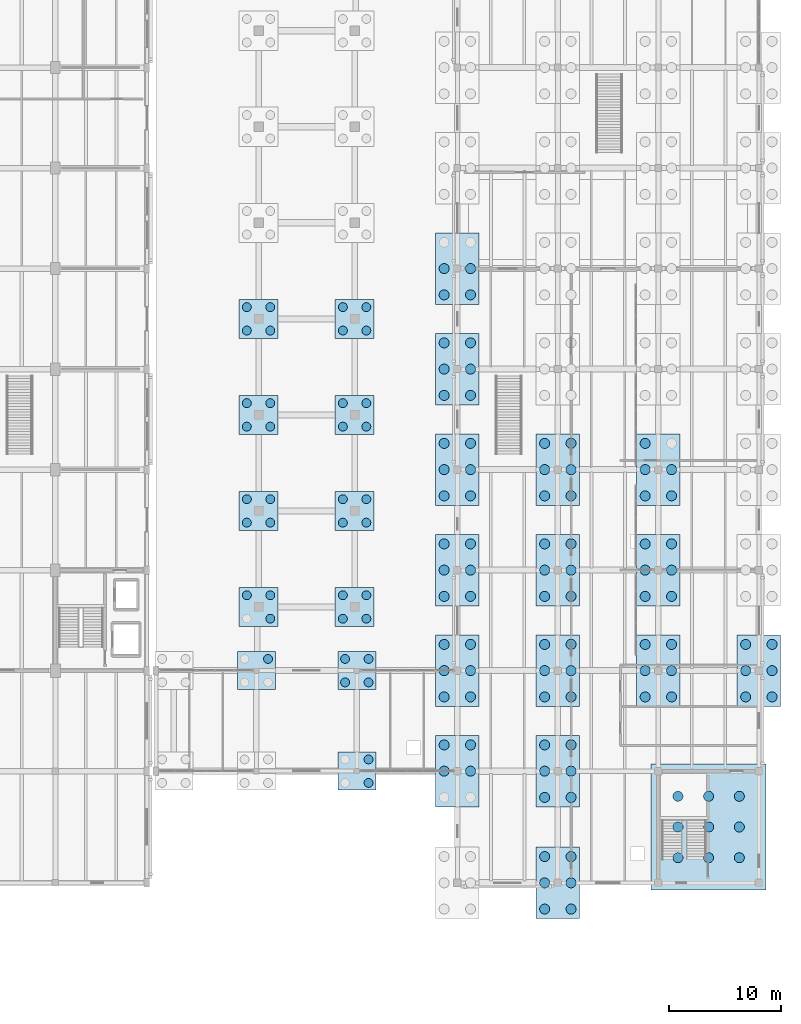
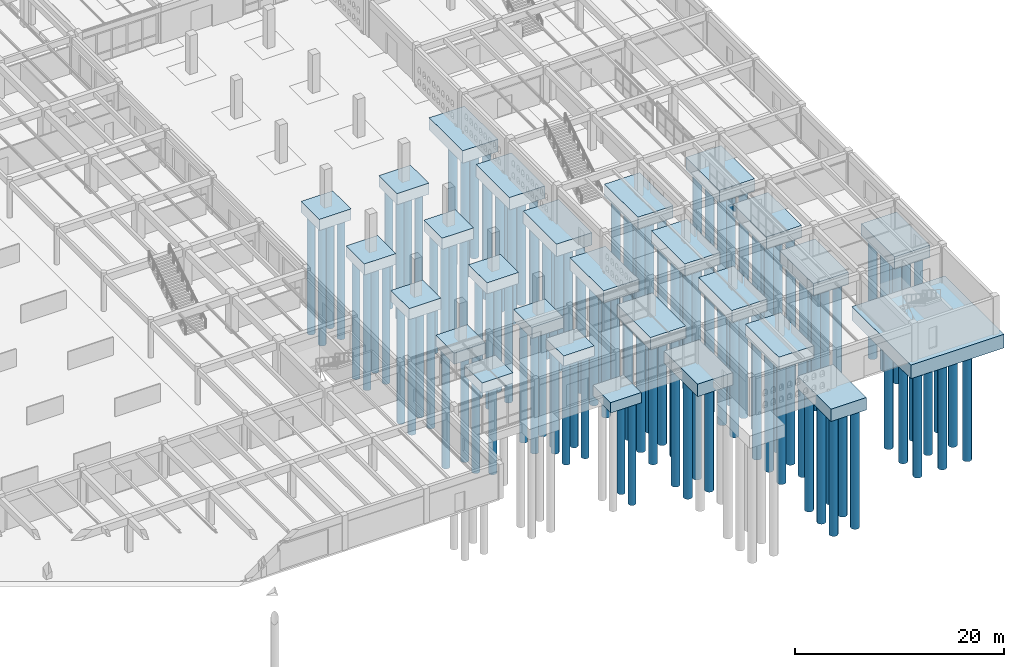
# One storey, part 4 of 186: 132 piles, 27 footings.
"""IFC4 building model written with IfcOpenShell, lengths in metres."""

from ifc_helpers import new_model, si_unit, direction, frame, origin, origin_2d, place, context, subcontext, project, spatial, polyline, circle, outline, extrude, material, layer, layer_set, material_profile, profile_set, type_object, element, save


model = new_model("IFC4")

# Units and contexts
model_context = context("Model", 3, precision=1e-05, world=origin(), true_north=direction((0.0, 1.0)))
body_context = subcontext(model_context, "Body", "Model", "MODEL_VIEW")
ifc_project = project(units=[si_unit("LENGTHUNIT", "METRE"), si_unit("AREAUNIT", "SQUARE_METRE"), si_unit("VOLUMEUNIT", "CUBIC_METRE"), si_unit("PLANEANGLEUNIT", "RADIAN"), si_unit("MASSUNIT", "GRAM", prefix="KILO")], contexts=[model_context])

# Site, building, storey
site_placement = place(None, origin())
site = spatial("IfcSite", under=ifc_project, at=site_placement, CompositionType="ELEMENT")
building_placement = place(site_placement, origin())
building = spatial("IfcBuilding", under=site, at=building_placement, Name="Ornek Quay Market", CompositionType="ELEMENT")
storey_placement = place(building_placement, origin())
storey = spatial("IfcBuildingStorey", under=building, at=storey_placement, Name="L00", CompositionType="ELEMENT", Elevation=0.0)

# Footings
ifc_material = material(Name="Concrete C35/45", Category="concrete")
ifc_layer_1 = layer(ifc_material, 1.60009765625, Name="Concrete C35/45", Category="concrete")
ifc_layer_set_1 = layer_set([ifc_layer_1], Name="Concrete C35/45")
footing_type_1 = type_object("IfcFootingType", Name="FT-CORE-10300x11300x1600", PredefinedType="PILE_CAP", material=ifc_layer_set_1)
footing_1_placement = place(storey_placement, frame((0.0, 0.0, -1.60009765625)))
element("IfcFooting", 1, at=footing_1_placement, inside=storey, type_object=footing_type_1, Name="Pile cap FC-006", PredefinedType="PILE_CAP", context=body_context, shape_type="SweptSolid", body=[
    extrude(outline(polyline([(170.35009765625, 9.35009765625), (180.64990234375, 9.35009765625), (180.64990234375, 20.64990234375), (170.35009765625, 20.64990234375), (170.35009765625, 9.35009765625)])), origin(), (0.0, 0.0, 1.0), 1.60009765625),
])
ifc_layer_2 = layer(ifc_material, 1.199951171875, Name="Concrete C35/45", Category="concrete")
ifc_layer_set_2 = layer_set([ifc_layer_2], Name="Concrete C35/45")
footing_type_2 = type_object("IfcFootingType", Name="FT-PC4-2800x2800x1200", PredefinedType="PILE_CAP", material=ifc_layer_set_2)
footing_2_placement = place(storey_placement, frame((0.0, 0.0, -1.199951171875)))
element("IfcFooting", 2, at=footing_2_placement, inside=storey, type_object=footing_type_2, Name="Pile cap FC-181", PredefinedType="PILE_CAP", context=body_context, shape_type="SweptSolid", body=[
    extrude(outline(polyline([(133.300048828125, 27.300048828125), (136.699951171875, 27.300048828125), (136.699951171875, 30.699951171875), (133.300048828125, 30.699951171875), (133.300048828125, 27.300048828125)])), origin(), (0.0, 0.0, 1.0), 1.199951171875),
])
footing_3_placement = place(storey_placement, frame((0.0, 0.0, -1.199951171875)))
element("IfcFooting", 3, at=footing_3_placement, inside=storey, type_object=footing_type_2, Name="Pile cap FC-186", PredefinedType="PILE_CAP", context=body_context, shape_type="SweptSolid", body=[
    extrude(outline(polyline([(142.300048828125, 18.300048828125), (145.699951171875, 18.300048828125), (145.699951171875, 21.699951171875), (142.300048828125, 21.699951171875), (142.300048828125, 18.300048828125)])), origin(), (0.0, 0.0, 1.0), 1.199951171875),
])
footing_4_placement = place(storey_placement, frame((0.0, 0.0, -1.199951171875)))
element("IfcFooting", 4, at=footing_4_placement, inside=storey, type_object=footing_type_2, Name="Pile cap FC-187", PredefinedType="PILE_CAP", context=body_context, shape_type="SweptSolid", body=[
    extrude(outline(polyline([(142.300048828125, 27.300048828125), (145.699951171875, 27.300048828125), (145.699951171875, 30.699951171875), (142.300048828125, 30.699951171875), (142.300048828125, 27.300048828125)])), origin(), (0.0, 0.0, 1.0), 1.199951171875),
])
ifc_layer_3 = layer(ifc_material, 1.300048828125, Name="Concrete C35/45", Category="concrete")
ifc_layer_set_3 = layer_set([ifc_layer_3], Name="Concrete C35/45")
footing_type_3 = type_object("IfcFootingType", Name="FT-PC4-3000x3000x1300", PredefinedType="PILE_CAP", material=ifc_layer_set_3)
footing_5_placement = place(storey_placement, frame((0.0, 0.0, -1.300048828125)))
element("IfcFooting", 5, at=footing_5_placement, inside=storey, type_object=footing_type_3, Name="Pile cap FC-250", PredefinedType="PILE_CAP", context=body_context, shape_type="SweptSolid", body=[
    extrude(outline(polyline([(133.449951171875, 32.949951171875), (136.949951171875, 32.949951171875), (136.949951171875, 36.449951171875), (133.449951171875, 36.449951171875), (133.449951171875, 32.949951171875)])), origin(), (0.0, 0.0, 1.0), 1.300048828125),
])
footing_6_placement = place(storey_placement, frame((0.0, 0.0, -1.300048828125)))
element("IfcFooting", 6, at=footing_6_placement, inside=storey, type_object=footing_type_3, Name="Pile cap FC-251", PredefinedType="PILE_CAP", context=body_context, shape_type="SweptSolid", body=[
    extrude(outline(polyline([(133.449951171875, 41.550048828125), (136.949951171875, 41.550048828125), (136.949951171875, 45.050048828125), (133.449951171875, 45.050048828125), (133.449951171875, 41.550048828125)])), origin(), (0.0, 0.0, 1.0), 1.300048828125),
])
footing_7_placement = place(storey_placement, frame((0.0, 0.0, -1.300048828125)))
element("IfcFooting", 7, at=footing_7_placement, inside=storey, type_object=footing_type_3, Name="Pile cap FC-252", PredefinedType="PILE_CAP", context=body_context, shape_type="SweptSolid", body=[
    extrude(outline(polyline([(133.449951171875, 50.14990234375), (136.949951171875, 50.14990234375), (136.949951171875, 53.64990234375), (133.449951171875, 53.64990234375), (133.449951171875, 50.14990234375)])), origin(), (0.0, 0.0, 1.0), 1.300048828125),
])
footing_8_placement = place(storey_placement, frame((0.0, 0.0, -1.300048828125)))
element("IfcFooting", 8, at=footing_8_placement, inside=storey, type_object=footing_type_3, Name="Pile cap FC-253", PredefinedType="PILE_CAP", context=body_context, shape_type="SweptSolid", body=[
    extrude(outline(polyline([(133.449951171875, 58.75), (136.949951171875, 58.75), (136.949951171875, 62.25), (133.449951171875, 62.25), (133.449951171875, 58.75)])), origin(), (0.0, 0.0, 1.0), 1.300048828125),
])
footing_9_placement = place(storey_placement, frame((0.0, 0.0, -1.300048828125)))
element("IfcFooting", 9, at=footing_9_placement, inside=storey, type_object=footing_type_3, Name="Pile cap FC-257", PredefinedType="PILE_CAP", context=body_context, shape_type="SweptSolid", body=[
    extrude(outline(polyline([(142.050048828125, 32.949951171875), (145.550048828125, 32.949951171875), (145.550048828125, 36.449951171875), (142.050048828125, 36.449951171875), (142.050048828125, 32.949951171875)])), origin(), (0.0, 0.0, 1.0), 1.300048828125),
])
footing_10_placement = place(storey_placement, frame((0.0, 0.0, -1.300048828125)))
element("IfcFooting", 10, at=footing_10_placement, inside=storey, type_object=footing_type_3, Name="Pile cap FC-258", PredefinedType="PILE_CAP", context=body_context, shape_type="SweptSolid", body=[
    extrude(outline(polyline([(142.050048828125, 41.550048828125), (145.550048828125, 41.550048828125), (145.550048828125, 45.050048828125), (142.050048828125, 45.050048828125), (142.050048828125, 41.550048828125)])), origin(), (0.0, 0.0, 1.0), 1.300048828125),
])
footing_11_placement = place(storey_placement, frame((0.0, 0.0, -1.300048828125)))
element("IfcFooting", 11, at=footing_11_placement, inside=storey, type_object=footing_type_3, Name="Pile cap FC-259", PredefinedType="PILE_CAP", context=body_context, shape_type="SweptSolid", body=[
    extrude(outline(polyline([(142.050048828125, 50.14990234375), (145.550048828125, 50.14990234375), (145.550048828125, 53.64990234375), (142.050048828125, 53.64990234375), (142.050048828125, 50.14990234375)])), origin(), (0.0, 0.0, 1.0), 1.300048828125),
])
footing_12_placement = place(storey_placement, frame((0.0, 0.0, -1.300048828125)))
element("IfcFooting", 12, at=footing_12_placement, inside=storey, type_object=footing_type_3, Name="Pile cap FC-260", PredefinedType="PILE_CAP", context=body_context, shape_type="SweptSolid", body=[
    extrude(outline(polyline([(142.050048828125, 58.75), (145.550048828125, 58.75), (145.550048828125, 62.25), (142.050048828125, 62.25), (142.050048828125, 58.75)])), origin(), (0.0, 0.0, 1.0), 1.300048828125),
])
ifc_layer_4 = layer(ifc_material, 1.449951171875, Name="Concrete C35/45", Category="concrete")
ifc_layer_set_4 = layer_set([ifc_layer_4], Name="Concrete C35/45")
footing_type_4 = type_object("IfcFootingType", Name="FT-PC6-3200x4600x1450", PredefinedType="PILE_CAP", material=ifc_layer_set_4)
footing_13_placement = place(storey_placement, frame((0.0, 0.0, -1.449951171875)))
element("IfcFooting", 13, at=footing_13_placement, inside=storey, type_object=footing_type_4, Name="Pile cap FC-193", PredefinedType="PILE_CAP", context=body_context, shape_type="SweptSolid", body=[
    extrude(outline(polyline([(151.050048828125, 16.800048828125), (154.949951171875, 16.800048828125), (154.949951171875, 23.199951171875), (151.050048828125, 23.199951171875), (151.050048828125, 16.800048828125)])), origin(), (0.0, 0.0, 1.0), 1.449951171875),
])
footing_14_placement = place(storey_placement, frame((0.0, 0.0, -1.449951171875)))
element("IfcFooting", 14, at=footing_14_placement, inside=storey, type_object=footing_type_4, Name="Pile cap FC-194", PredefinedType="PILE_CAP", context=body_context, shape_type="SweptSolid", body=[
    extrude(outline(polyline([(151.050048828125, 25.800048828125), (154.949951171875, 25.800048828125), (154.949951171875, 32.199951171875), (151.050048828125, 32.199951171875), (151.050048828125, 25.800048828125)])), origin(), (0.0, 0.0, 1.0), 1.449951171875),
])
footing_15_placement = place(storey_placement, frame((0.0, 0.0, -1.449951171875)))
element("IfcFooting", 15, at=footing_15_placement, inside=storey, type_object=footing_type_4, Name="Pile cap FC-195", PredefinedType="PILE_CAP", context=body_context, shape_type="SweptSolid", body=[
    extrude(outline(polyline([(151.050048828125, 34.800048828125), (154.949951171875, 34.800048828125), (154.949951171875, 41.199951171875), (151.050048828125, 41.199951171875), (151.050048828125, 34.800048828125)])), origin(), (0.0, 0.0, 1.0), 1.449951171875),
])
footing_16_placement = place(storey_placement, frame((0.0, 0.0, -1.449951171875)))
element("IfcFooting", 16, at=footing_16_placement, inside=storey, type_object=footing_type_4, Name="Pile cap FC-196", PredefinedType="PILE_CAP", context=body_context, shape_type="SweptSolid", body=[
    extrude(outline(polyline([(151.050048828125, 43.800048828125), (154.949951171875, 43.800048828125), (154.949951171875, 50.199951171875), (151.050048828125, 50.199951171875), (151.050048828125, 43.800048828125)])), origin(), (0.0, 0.0, 1.0), 1.449951171875),
])
footing_17_placement = place(storey_placement, frame((0.0, 0.0, -1.449951171875)))
element("IfcFooting", 17, at=footing_17_placement, inside=storey, type_object=footing_type_4, Name="Pile cap FC-197", PredefinedType="PILE_CAP", context=body_context, shape_type="SweptSolid", body=[
    extrude(outline(polyline([(151.050048828125, 52.800048828125), (154.949951171875, 52.800048828125), (154.949951171875, 59.199951171875), (151.050048828125, 59.199951171875), (151.050048828125, 52.800048828125)])), origin(), (0.0, 0.0, 1.0), 1.449951171875),
])
footing_18_placement = place(storey_placement, frame((0.0, 0.0, -1.449951171875)))
element("IfcFooting", 18, at=footing_18_placement, inside=storey, type_object=footing_type_4, Name="Pile cap FC-198", PredefinedType="PILE_CAP", context=body_context, shape_type="SweptSolid", body=[
    extrude(outline(polyline([(151.050048828125, 61.800048828125), (154.949951171875, 61.800048828125), (154.949951171875, 68.199951171875), (151.050048828125, 68.199951171875), (151.050048828125, 61.800048828125)])), origin(), (0.0, 0.0, 1.0), 1.449951171875),
])
footing_19_placement = place(storey_placement, frame((0.0, 0.0, -1.449951171875)))
element("IfcFooting", 19, at=footing_19_placement, inside=storey, type_object=footing_type_4, Name="Pile cap FC-205", PredefinedType="PILE_CAP", context=body_context, shape_type="SweptSolid", body=[
    extrude(outline(polyline([(160.050048828125, 6.800048828125), (163.949951171875, 6.800048828125), (163.949951171875, 13.199951171875), (160.050048828125, 13.199951171875), (160.050048828125, 6.800048828125)])), origin(), (0.0, 0.0, 1.0), 1.449951171875),
])
footing_20_placement = place(storey_placement, frame((0.0, 0.0, -1.449951171875)))
element("IfcFooting", 20, at=footing_20_placement, inside=storey, type_object=footing_type_4, Name="Pile cap FC-206", PredefinedType="PILE_CAP", context=body_context, shape_type="SweptSolid", body=[
    extrude(outline(polyline([(160.050048828125, 16.800048828125), (163.949951171875, 16.800048828125), (163.949951171875, 23.199951171875), (160.050048828125, 23.199951171875), (160.050048828125, 16.800048828125)])), origin(), (0.0, 0.0, 1.0), 1.449951171875),
])
footing_21_placement = place(storey_placement, frame((0.0, 0.0, -1.449951171875)))
element("IfcFooting", 21, at=footing_21_placement, inside=storey, type_object=footing_type_4, Name="Pile cap FC-207", PredefinedType="PILE_CAP", context=body_context, shape_type="SweptSolid", body=[
    extrude(outline(polyline([(160.050048828125, 25.800048828125), (163.949951171875, 25.800048828125), (163.949951171875, 32.199951171875), (160.050048828125, 32.199951171875), (160.050048828125, 25.800048828125)])), origin(), (0.0, 0.0, 1.0), 1.449951171875),
])
footing_22_placement = place(storey_placement, frame((0.0, 0.0, -1.449951171875)))
element("IfcFooting", 22, at=footing_22_placement, inside=storey, type_object=footing_type_4, Name="Pile cap FC-208", PredefinedType="PILE_CAP", context=body_context, shape_type="SweptSolid", body=[
    extrude(outline(polyline([(160.050048828125, 34.800048828125), (163.949951171875, 34.800048828125), (163.949951171875, 41.199951171875), (160.050048828125, 41.199951171875), (160.050048828125, 34.800048828125)])), origin(), (0.0, 0.0, 1.0), 1.449951171875),
])
footing_23_placement = place(storey_placement, frame((0.0, 0.0, -1.449951171875)))
element("IfcFooting", 23, at=footing_23_placement, inside=storey, type_object=footing_type_4, Name="Pile cap FC-209", PredefinedType="PILE_CAP", context=body_context, shape_type="SweptSolid", body=[
    extrude(outline(polyline([(160.050048828125, 43.800048828125), (163.949951171875, 43.800048828125), (163.949951171875, 50.199951171875), (160.050048828125, 50.199951171875), (160.050048828125, 43.800048828125)])), origin(), (0.0, 0.0, 1.0), 1.449951171875),
])
footing_24_placement = place(storey_placement, frame((0.0, 0.0, -1.449951171875)))
element("IfcFooting", 24, at=footing_24_placement, inside=storey, type_object=footing_type_4, Name="Pile cap FC-218", PredefinedType="PILE_CAP", context=body_context, shape_type="SweptSolid", body=[
    extrude(outline(polyline([(169.050048828125, 25.800048828125), (172.949951171875, 25.800048828125), (172.949951171875, 32.199951171875), (169.050048828125, 32.199951171875), (169.050048828125, 25.800048828125)])), origin(), (0.0, 0.0, 1.0), 1.449951171875),
])
footing_25_placement = place(storey_placement, frame((0.0, 0.0, -1.449951171875)))
element("IfcFooting", 25, at=footing_25_placement, inside=storey, type_object=footing_type_4, Name="Pile cap FC-219", PredefinedType="PILE_CAP", context=body_context, shape_type="SweptSolid", body=[
    extrude(outline(polyline([(169.050048828125, 34.800048828125), (172.949951171875, 34.800048828125), (172.949951171875, 41.199951171875), (169.050048828125, 41.199951171875), (169.050048828125, 34.800048828125)])), origin(), (0.0, 0.0, 1.0), 1.449951171875),
])
footing_26_placement = place(storey_placement, frame((0.0, 0.0, -1.449951171875)))
element("IfcFooting", 26, at=footing_26_placement, inside=storey, type_object=footing_type_4, Name="Pile cap FC-220", PredefinedType="PILE_CAP", context=body_context, shape_type="SweptSolid", body=[
    extrude(outline(polyline([(169.050048828125, 43.800048828125), (172.949951171875, 43.800048828125), (172.949951171875, 50.199951171875), (169.050048828125, 50.199951171875), (169.050048828125, 43.800048828125)])), origin(), (0.0, 0.0, 1.0), 1.449951171875),
])
footing_27_placement = place(storey_placement, frame((0.0, 0.0, -1.449951171875)))
element("IfcFooting", 27, at=footing_27_placement, inside=storey, type_object=footing_type_4, Name="Pile cap FC-227", PredefinedType="PILE_CAP", context=body_context, shape_type="SweptSolid", body=[
    extrude(outline(polyline([(178.050048828125, 25.800048828125), (181.949951171875, 25.800048828125), (181.949951171875, 32.199951171875), (178.050048828125, 32.199951171875), (178.050048828125, 25.800048828125)])), origin(), (0.0, 0.0, 1.0), 1.449951171875),
])

# Piles
ifc_material_profile_1 = material_profile(ifc_material, circle(Radius=0.39990234375, at=origin_2d()), Name="PILE D800", Category="concrete")
ifc_profile_set_1 = profile_set([ifc_material_profile_1], Name="Concrete C35/45")
pile_type_1 = type_object("IfcPileType", Name="PL-BOR-D800-L12", PredefinedType="BORED", material=ifc_profile_set_1)
for number, where, z_axis, x_axis, name in (
    (28, (136.050048828125, 30.050048828125, -1.10009765625), (0.0, 0.0, -1.0), (1.0, 0.0, 0.0), "Bored pile P-0794"),
    (29, (145.050048828125, 18.949951171875, -1.10009765625), (0.0, 0.0, -1.0), (1.0, 0.0, 0.0), "Bored pile P-0812"),
    (30, (145.050048828125, 21.050048828125, -1.10009765625), (0.0, 0.0, -1.0), (1.0, 0.0, 0.0), "Bored pile P-0814"),
    (31, (142.949951171875, 27.949951171875, -1.10009765625), (0.0, 0.0, -1.0), (1.0, 0.0, 0.0), "Bored pile P-0815"),
    (32, (145.050048828125, 27.949951171875, -1.10009765625), (0.0, 0.0, -1.0), (1.0, 0.0, 0.0), "Bored pile P-0816"),
    (33, (142.949951171875, 30.050048828125, -1.10009765625), (0.0, 0.0, -1.0), (1.0, 0.0, 0.0), "Bored pile P-0817"),
    (34, (145.050048828125, 30.050048828125, -1.10009765625), (0.0, 0.0, -1.0), (1.0, 0.0, 0.0), "Bored pile P-0818"),
):
    element("IfcPile", number, at=place(storey_placement, frame(where, z_axis=z_axis, x_axis=x_axis)), inside=storey, type_object=pile_type_1, Name=name, PredefinedType="BORED", context=body_context, shape_type="SweptSolid", body=[
        extrude(circle(Radius=0.39990234375, at=origin_2d()), origin(), (0.0, 0.0, 1.0), 12.0),
    ])
ifc_material_profile_2 = material_profile(ifc_material, circle(Radius=0.39990234375, at=origin_2d()), Name="PILE D800", Category="concrete")
ifc_profile_set_2 = profile_set([ifc_material_profile_2], Name="Concrete C35/45")
pile_type_2 = type_object("IfcPileType", Name="PL-BOR-D800-L14", PredefinedType="BORED", material=ifc_profile_set_2)
for number, where, z_axis, x_axis, name in (
    (35, (136.25, 33.64990234375, -1.199951171875), (0.0, 0.0, -1.0), (1.0, 0.0, 0.0), "Bored pile P-1132"),
    (36, (134.14990234375, 35.75, -1.199951171875), (0.0, 0.0, -1.0), (1.0, 0.0, 0.0), "Bored pile P-1133"),
    (37, (136.25, 35.75, -1.199951171875), (0.0, 0.0, -1.0), (1.0, 0.0, 0.0), "Bored pile P-1134"),
    (38, (134.14990234375, 42.25, -1.199951171875), (0.0, 0.0, -1.0), (1.0, 0.0, 0.0), "Bored pile P-1135"),
    (39, (136.25, 42.25, -1.199951171875), (0.0, 0.0, -1.0), (1.0, 0.0, 0.0), "Bored pile P-1136"),
    (40, (134.14990234375, 44.35009765625, -1.199951171875), (0.0, 0.0, -1.0), (1.0, 0.0, 0.0), "Bored pile P-1137"),
    (41, (136.25, 44.35009765625, -1.199951171875), (0.0, 0.0, -1.0), (1.0, 0.0, 0.0), "Bored pile P-1138"),
    (42, (134.14990234375, 50.85009765625, -1.199951171875), (0.0, 0.0, -1.0), (1.0, 0.0, 0.0), "Bored pile P-1139"),
    (43, (136.25, 50.85009765625, -1.199951171875), (0.0, 0.0, -1.0), (1.0, 0.0, 0.0), "Bored pile P-1140"),
    (44, (134.14990234375, 52.949951171875, -1.199951171875), (0.0, 0.0, -1.0), (1.0, 0.0, 0.0), "Bored pile P-1141"),
    (45, (136.25, 52.949951171875, -1.199951171875), (0.0, 0.0, -1.0), (1.0, 0.0, 0.0), "Bored pile P-1142"),
    (46, (134.14990234375, 59.449951171875, -1.199951171875), (0.0, 0.0, -1.0), (1.0, 0.0, 0.0), "Bored pile P-1143"),
    (47, (136.25, 59.449951171875, -1.199951171875), (0.0, 0.0, -1.0), (1.0, 0.0, 0.0), "Bored pile P-1144"),
    (48, (134.14990234375, 61.550048828125, -1.199951171875), (0.0, 0.0, -1.0), (1.0, 0.0, 0.0), "Bored pile P-1145"),
    (49, (136.25, 61.550048828125, -1.199951171875), (0.0, 0.0, -1.0), (1.0, 0.0, 0.0), "Bored pile P-1146"),
    (50, (142.75, 33.64990234375, -1.199951171875), (0.0, 0.0, -1.0), (1.0, 0.0, 0.0), "Bored pile P-1159"),
    (51, (144.85009765625, 33.64990234375, -1.199951171875), (0.0, 0.0, -1.0), (1.0, 0.0, 0.0), "Bored pile P-1160"),
    (52, (142.75, 35.75, -1.199951171875), (0.0, 0.0, -1.0), (1.0, 0.0, 0.0), "Bored pile P-1161"),
    (53, (144.85009765625, 35.75, -1.199951171875), (0.0, 0.0, -1.0), (1.0, 0.0, 0.0), "Bored pile P-1162"),
    (54, (142.75, 42.25, -1.199951171875), (0.0, 0.0, -1.0), (1.0, 0.0, 0.0), "Bored pile P-1163"),
    (55, (144.85009765625, 42.25, -1.199951171875), (0.0, 0.0, -1.0), (1.0, 0.0, 0.0), "Bored pile P-1164"),
    (56, (142.75, 44.35009765625, -1.199951171875), (0.0, 0.0, -1.0), (1.0, 0.0, 0.0), "Bored pile P-1165"),
    (57, (144.85009765625, 44.35009765625, -1.199951171875), (0.0, 0.0, -1.0), (1.0, 0.0, 0.0), "Bored pile P-1166"),
    (58, (142.75, 50.85009765625, -1.199951171875), (0.0, 0.0, -1.0), (1.0, 0.0, 0.0), "Bored pile P-1167"),
    (59, (144.85009765625, 50.85009765625, -1.199951171875), (0.0, 0.0, -1.0), (1.0, 0.0, 0.0), "Bored pile P-1168"),
    (60, (142.75, 52.949951171875, -1.199951171875), (0.0, 0.0, -1.0), (1.0, 0.0, 0.0), "Bored pile P-1169"),
    (61, (144.85009765625, 52.949951171875, -1.199951171875), (0.0, 0.0, -1.0), (1.0, 0.0, 0.0), "Bored pile P-1170"),
    (62, (142.75, 59.449951171875, -1.199951171875), (0.0, 0.0, -1.0), (1.0, 0.0, 0.0), "Bored pile P-1171"),
    (63, (144.85009765625, 59.449951171875, -1.199951171875), (0.0, 0.0, -1.0), (1.0, 0.0, 0.0), "Bored pile P-1172"),
    (64, (142.75, 61.550048828125, -1.199951171875), (0.0, 0.0, -1.0), (1.0, 0.0, 0.0), "Bored pile P-1173"),
    (65, (144.85009765625, 61.550048828125, -1.199951171875), (0.0, 0.0, -1.0), (1.0, 0.0, 0.0), "Bored pile P-1174"),
):
    element("IfcPile", number, at=place(storey_placement, frame(where, z_axis=z_axis, x_axis=x_axis)), inside=storey, type_object=pile_type_2, Name=name, PredefinedType="BORED", context=body_context, shape_type="SweptSolid", body=[
        extrude(circle(Radius=0.39990234375, at=origin_2d()), origin(), (0.0, 0.0, 1.0), 14.0),
    ])
ifc_material_profile_3 = material_profile(ifc_material, circle(Radius=0.449951171875, at=origin_2d()), Name="PILE D900", Category="concrete")
ifc_profile_set_3 = profile_set([ifc_material_profile_3], Name="Concrete C35/45")
pile_type_3 = type_object("IfcPileType", Name="PL-BOR-D900-L14", PredefinedType="BORED", material=ifc_profile_set_3)
for number, where, z_axis, x_axis, name in (
    (66, (172.75, 12.25, -1.5), (0.0, 0.0, -1.0), (1.0, 0.0, 0.0), "Bored pile P-0046"),
    (67, (172.75, 15.0, -1.5), (0.0, 0.0, -1.0), (1.0, 0.0, 0.0), "Bored pile P-0047"),
    (68, (172.75, 17.75, -1.5), (0.0, 0.0, -1.0), (1.0, 0.0, 0.0), "Bored pile P-0048"),
    (69, (175.5, 12.25, -1.5), (0.0, 0.0, -1.0), (1.0, 0.0, 0.0), "Bored pile P-0049"),
    (70, (175.5, 15.0, -1.5), (0.0, 0.0, -1.0), (1.0, 0.0, 0.0), "Bored pile P-0050"),
    (71, (175.5, 17.75, -1.5), (0.0, 0.0, -1.0), (1.0, 0.0, 0.0), "Bored pile P-0051"),
    (72, (178.25, 12.25, -1.5), (0.0, 0.0, -1.0), (1.0, 0.0, 0.0), "Bored pile P-0052"),
    (73, (178.25, 15.0, -1.5), (0.0, 0.0, -1.0), (1.0, 0.0, 0.0), "Bored pile P-0053"),
    (74, (178.25, 17.75, -1.5), (0.0, 0.0, -1.0), (1.0, 0.0, 0.0), "Bored pile P-0054"),
    (75, (151.820068359375, 20.0, -1.35009765625), (0.0, 0.0, -1.0), (1.0, 0.0, 0.0), "Bored pile P-0843"),
    (76, (154.179931640625, 20.0, -1.35009765625), (0.0, 0.0, -1.0), (1.0, 0.0, 0.0), "Bored pile P-0844"),
    (77, (151.820068359375, 22.35009765625, -1.35009765625), (0.0, 0.0, -1.0), (1.0, 0.0, 0.0), "Bored pile P-0845"),
    (78, (154.179931640625, 22.35009765625, -1.35009765625), (0.0, 0.0, -1.0), (1.0, 0.0, 0.0), "Bored pile P-0846"),
    (79, (151.820068359375, 26.64990234375, -1.35009765625), (0.0, 0.0, -1.0), (1.0, 0.0, 0.0), "Bored pile P-0847"),
    (80, (154.179931640625, 26.64990234375, -1.35009765625), (0.0, 0.0, -1.0), (1.0, 0.0, 0.0), "Bored pile P-0848"),
    (81, (151.820068359375, 29.0, -1.35009765625), (0.0, 0.0, -1.0), (1.0, 0.0, 0.0), "Bored pile P-0849"),
    (82, (154.179931640625, 29.0, -1.35009765625), (0.0, 0.0, -1.0), (1.0, 0.0, 0.0), "Bored pile P-0850"),
    (83, (151.820068359375, 31.35009765625, -1.35009765625), (0.0, 0.0, -1.0), (1.0, 0.0, 0.0), "Bored pile P-0851"),
    (84, (154.179931640625, 31.35009765625, -1.35009765625), (0.0, 0.0, -1.0), (1.0, 0.0, 0.0), "Bored pile P-0852"),
    (85, (151.820068359375, 35.64990234375, -1.35009765625), (0.0, 0.0, -1.0), (1.0, 0.0, 0.0), "Bored pile P-0853"),
    (86, (154.179931640625, 35.64990234375, -1.35009765625), (0.0, 0.0, -1.0), (1.0, 0.0, 0.0), "Bored pile P-0854"),
    (87, (151.820068359375, 38.0, -1.35009765625), (0.0, 0.0, -1.0), (1.0, 0.0, 0.0), "Bored pile P-0855"),
    (88, (154.179931640625, 38.0, -1.35009765625), (0.0, 0.0, -1.0), (1.0, 0.0, 0.0), "Bored pile P-0856"),
    (89, (151.820068359375, 40.35009765625, -1.35009765625), (0.0, 0.0, -1.0), (1.0, 0.0, 0.0), "Bored pile P-0857"),
    (90, (154.179931640625, 40.35009765625, -1.35009765625), (0.0, 0.0, -1.0), (1.0, 0.0, 0.0), "Bored pile P-0858"),
    (91, (151.820068359375, 44.64990234375, -1.35009765625), (0.0, 0.0, -1.0), (1.0, 0.0, 0.0), "Bored pile P-0859"),
    (92, (154.179931640625, 44.64990234375, -1.35009765625), (0.0, 0.0, -1.0), (1.0, 0.0, 0.0), "Bored pile P-0860"),
    (93, (151.820068359375, 47.0, -1.35009765625), (0.0, 0.0, -1.0), (1.0, 0.0, 0.0), "Bored pile P-0861"),
    (94, (154.179931640625, 47.0, -1.35009765625), (0.0, 0.0, -1.0), (1.0, 0.0, 0.0), "Bored pile P-0862"),
    (95, (151.820068359375, 49.35009765625, -1.35009765625), (0.0, 0.0, -1.0), (1.0, 0.0, 0.0), "Bored pile P-0863"),
    (96, (154.179931640625, 49.35009765625, -1.35009765625), (0.0, 0.0, -1.0), (1.0, 0.0, 0.0), "Bored pile P-0864"),
    (97, (151.820068359375, 53.64990234375, -1.35009765625), (0.0, 0.0, -1.0), (1.0, 0.0, 0.0), "Bored pile P-0865"),
    (98, (154.179931640625, 53.64990234375, -1.35009765625), (0.0, 0.0, -1.0), (1.0, 0.0, 0.0), "Bored pile P-0866"),
    (99, (151.820068359375, 56.0, -1.35009765625), (0.0, 0.0, -1.0), (1.0, 0.0, 0.0), "Bored pile P-0867"),
    (100, (154.179931640625, 56.0, -1.35009765625), (0.0, 0.0, -1.0), (1.0, 0.0, 0.0), "Bored pile P-0868"),
    (101, (151.820068359375, 58.35009765625, -1.35009765625), (0.0, 0.0, -1.0), (1.0, 0.0, 0.0), "Bored pile P-0869"),
    (102, (154.179931640625, 58.35009765625, -1.35009765625), (0.0, 0.0, -1.0), (1.0, 0.0, 0.0), "Bored pile P-0870"),
    (103, (151.820068359375, 62.64990234375, -1.35009765625), (0.0, 0.0, -1.0), (1.0, 0.0, 0.0), "Bored pile P-0871"),
    (104, (154.179931640625, 62.64990234375, -1.35009765625), (0.0, 0.0, -1.0), (1.0, 0.0, 0.0), "Bored pile P-0872"),
    (105, (151.820068359375, 65.0, -1.35009765625), (0.0, 0.0, -1.0), (1.0, 0.0, 0.0), "Bored pile P-0873"),
    (106, (154.179931640625, 65.0, -1.35009765625), (0.0, 0.0, -1.0), (1.0, 0.0, 0.0), "Bored pile P-0874"),
    (107, (160.820068359375, 7.64990234375, -1.35009765625), (0.0, 0.0, -1.0), (1.0, 0.0, 0.0), "Bored pile P-0905"),
    (108, (163.179931640625, 7.64990234375, -1.35009765625), (0.0, 0.0, -1.0), (1.0, 0.0, 0.0), "Bored pile P-0906"),
    (109, (160.820068359375, 10.0, -1.35009765625), (0.0, 0.0, -1.0), (1.0, 0.0, 0.0), "Bored pile P-0907"),
    (110, (163.179931640625, 10.0, -1.35009765625), (0.0, 0.0, -1.0), (1.0, 0.0, 0.0), "Bored pile P-0908"),
    (111, (160.820068359375, 12.35009765625, -1.35009765625), (0.0, 0.0, -1.0), (1.0, 0.0, 0.0), "Bored pile P-0909"),
    (112, (163.179931640625, 12.35009765625, -1.35009765625), (0.0, 0.0, -1.0), (1.0, 0.0, 0.0), "Bored pile P-0910"),
    (113, (160.820068359375, 17.64990234375, -1.35009765625), (0.0, 0.0, -1.0), (1.0, 0.0, 0.0), "Bored pile P-0911"),
    (114, (163.179931640625, 17.64990234375, -1.35009765625), (0.0, 0.0, -1.0), (1.0, 0.0, 0.0), "Bored pile P-0912"),
    (115, (160.820068359375, 20.0, -1.35009765625), (0.0, 0.0, -1.0), (1.0, 0.0, 0.0), "Bored pile P-0913"),
    (116, (163.179931640625, 20.0, -1.35009765625), (0.0, 0.0, -1.0), (1.0, 0.0, 0.0), "Bored pile P-0914"),
    (117, (160.820068359375, 22.35009765625, -1.35009765625), (0.0, 0.0, -1.0), (1.0, 0.0, 0.0), "Bored pile P-0915"),
    (118, (163.179931640625, 22.35009765625, -1.35009765625), (0.0, 0.0, -1.0), (1.0, 0.0, 0.0), "Bored pile P-0916"),
    (119, (160.820068359375, 26.64990234375, -1.35009765625), (0.0, 0.0, -1.0), (1.0, 0.0, 0.0), "Bored pile P-0917"),
    (120, (163.179931640625, 26.64990234375, -1.35009765625), (0.0, 0.0, -1.0), (1.0, 0.0, 0.0), "Bored pile P-0918"),
    (121, (160.820068359375, 29.0, -1.35009765625), (0.0, 0.0, -1.0), (1.0, 0.0, 0.0), "Bored pile P-0919"),
    (122, (163.179931640625, 29.0, -1.35009765625), (0.0, 0.0, -1.0), (1.0, 0.0, 0.0), "Bored pile P-0920"),
    (123, (160.820068359375, 31.35009765625, -1.35009765625), (0.0, 0.0, -1.0), (1.0, 0.0, 0.0), "Bored pile P-0921"),
    (124, (163.179931640625, 31.35009765625, -1.35009765625), (0.0, 0.0, -1.0), (1.0, 0.0, 0.0), "Bored pile P-0922"),
    (125, (160.820068359375, 35.64990234375, -1.35009765625), (0.0, 0.0, -1.0), (1.0, 0.0, 0.0), "Bored pile P-0923"),
    (126, (163.179931640625, 35.64990234375, -1.35009765625), (0.0, 0.0, -1.0), (1.0, 0.0, 0.0), "Bored pile P-0924"),
    (127, (160.820068359375, 38.0, -1.35009765625), (0.0, 0.0, -1.0), (1.0, 0.0, 0.0), "Bored pile P-0925"),
    (128, (163.179931640625, 38.0, -1.35009765625), (0.0, 0.0, -1.0), (1.0, 0.0, 0.0), "Bored pile P-0926"),
    (129, (160.820068359375, 40.35009765625, -1.35009765625), (0.0, 0.0, -1.0), (1.0, 0.0, 0.0), "Bored pile P-0927"),
    (130, (163.179931640625, 40.35009765625, -1.35009765625), (0.0, 0.0, -1.0), (1.0, 0.0, 0.0), "Bored pile P-0928"),
    (131, (160.820068359375, 44.64990234375, -1.35009765625), (0.0, 0.0, -1.0), (1.0, 0.0, 0.0), "Bored pile P-0929"),
    (132, (163.179931640625, 44.64990234375, -1.35009765625), (0.0, 0.0, -1.0), (1.0, 0.0, 0.0), "Bored pile P-0930"),
    (133, (160.820068359375, 47.0, -1.35009765625), (0.0, 0.0, -1.0), (1.0, 0.0, 0.0), "Bored pile P-0931"),
    (134, (163.179931640625, 47.0, -1.35009765625), (0.0, 0.0, -1.0), (1.0, 0.0, 0.0), "Bored pile P-0932"),
    (135, (160.820068359375, 49.35009765625, -1.35009765625), (0.0, 0.0, -1.0), (1.0, 0.0, 0.0), "Bored pile P-0933"),
    (136, (163.179931640625, 49.35009765625, -1.35009765625), (0.0, 0.0, -1.0), (1.0, 0.0, 0.0), "Bored pile P-0934"),
    (137, (169.820068359375, 26.64990234375, -1.35009765625), (0.0, 0.0, -1.0), (1.0, 0.0, 0.0), "Bored pile P-0975"),
    (138, (172.179931640625, 26.64990234375, -1.35009765625), (0.0, 0.0, -1.0), (1.0, 0.0, 0.0), "Bored pile P-0976"),
    (139, (169.820068359375, 29.0, -1.35009765625), (0.0, 0.0, -1.0), (1.0, 0.0, 0.0), "Bored pile P-0977"),
    (140, (172.179931640625, 29.0, -1.35009765625), (0.0, 0.0, -1.0), (1.0, 0.0, 0.0), "Bored pile P-0978"),
    (141, (169.820068359375, 31.35009765625, -1.35009765625), (0.0, 0.0, -1.0), (1.0, 0.0, 0.0), "Bored pile P-0979"),
    (142, (172.179931640625, 31.35009765625, -1.35009765625), (0.0, 0.0, -1.0), (1.0, 0.0, 0.0), "Bored pile P-0980"),
    (143, (169.820068359375, 35.64990234375, -1.35009765625), (0.0, 0.0, -1.0), (1.0, 0.0, 0.0), "Bored pile P-0981"),
    (144, (172.179931640625, 35.64990234375, -1.35009765625), (0.0, 0.0, -1.0), (1.0, 0.0, 0.0), "Bored pile P-0982"),
    (145, (169.820068359375, 38.0, -1.35009765625), (0.0, 0.0, -1.0), (1.0, 0.0, 0.0), "Bored pile P-0983"),
    (146, (172.179931640625, 38.0, -1.35009765625), (0.0, 0.0, -1.0), (1.0, 0.0, 0.0), "Bored pile P-0984"),
    (147, (169.820068359375, 40.35009765625, -1.35009765625), (0.0, 0.0, -1.0), (1.0, 0.0, 0.0), "Bored pile P-0985"),
    (148, (172.179931640625, 40.35009765625, -1.35009765625), (0.0, 0.0, -1.0), (1.0, 0.0, 0.0), "Bored pile P-0986"),
    (149, (169.820068359375, 44.64990234375, -1.35009765625), (0.0, 0.0, -1.0), (1.0, 0.0, 0.0), "Bored pile P-0987"),
    (150, (172.179931640625, 44.64990234375, -1.35009765625), (0.0, 0.0, -1.0), (1.0, 0.0, 0.0), "Bored pile P-0988"),
    (151, (169.820068359375, 47.0, -1.35009765625), (0.0, 0.0, -1.0), (1.0, 0.0, 0.0), "Bored pile P-0989"),
    (152, (172.179931640625, 47.0, -1.35009765625), (0.0, 0.0, -1.0), (1.0, 0.0, 0.0), "Bored pile P-0990"),
    (153, (169.820068359375, 49.35009765625, -1.35009765625), (0.0, 0.0, -1.0), (1.0, 0.0, 0.0), "Bored pile P-0991"),
    (154, (178.820068359375, 26.64990234375, -1.35009765625), (0.0, 0.0, -1.0), (1.0, 0.0, 0.0), "Bored pile P-1025"),
    (155, (181.179931640625, 26.64990234375, -1.35009765625), (0.0, 0.0, -1.0), (1.0, 0.0, 0.0), "Bored pile P-1026"),
    (156, (178.820068359375, 29.0, -1.35009765625), (0.0, 0.0, -1.0), (1.0, 0.0, 0.0), "Bored pile P-1027"),
    (157, (181.179931640625, 29.0, -1.35009765625), (0.0, 0.0, -1.0), (1.0, 0.0, 0.0), "Bored pile P-1028"),
    (158, (178.820068359375, 31.35009765625, -1.35009765625), (0.0, 0.0, -1.0), (1.0, 0.0, 0.0), "Bored pile P-1029"),
    (159, (181.179931640625, 31.35009765625, -1.35009765625), (0.0, 0.0, -1.0), (1.0, 0.0, 0.0), "Bored pile P-1030"),
):
    element("IfcPile", number, at=place(storey_placement, frame(where, z_axis=z_axis, x_axis=x_axis)), inside=storey, type_object=pile_type_3, Name=name, PredefinedType="BORED", context=body_context, shape_type="SweptSolid", body=[
        extrude(circle(Radius=0.449951171875, at=origin_2d()), origin(), (0.0, 0.0, 1.0), 14.0),
    ])

save(model, "model.ifc")
